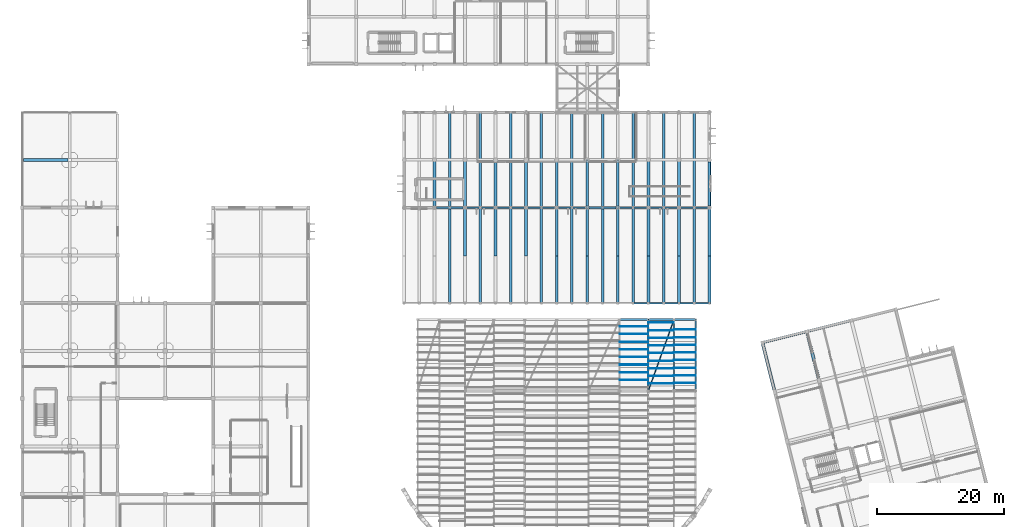
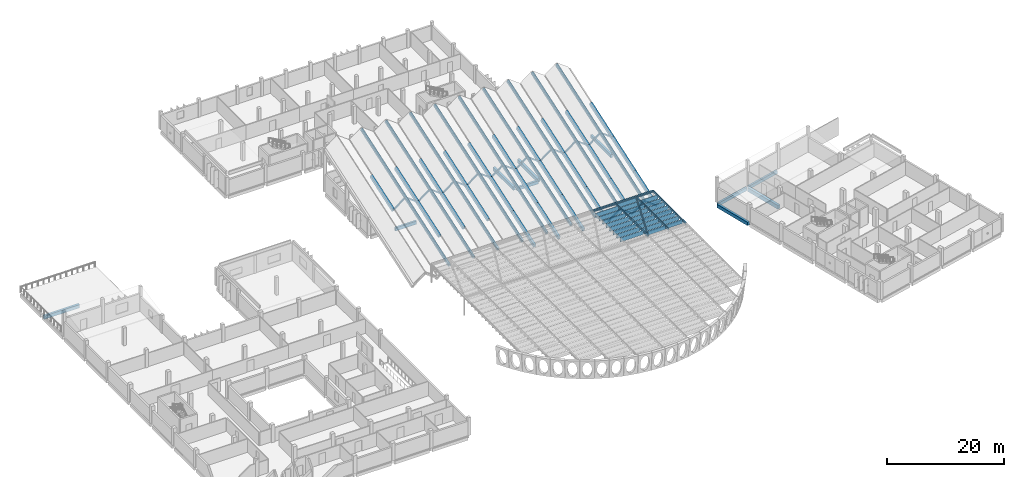
# One storey, part 16 of 47: 50 beams, 49 members.
"""IFC4 building model written with IfcOpenShell, lengths in metres."""

from ifc_helpers import new_model, si_unit, direction, frame, origin, origin_2d, place, context, subcontext, project, spatial, rectangle, hollow_rectangle, hollow_circle, i_section, extrude, material, material_profile, profile_set, type_object, element, save


model = new_model("IFC4")

# Units and contexts
model_context = context("Model", 3, precision=1e-05, world=origin(), true_north=direction((0.0, 1.0)))
body_context = subcontext(model_context, "Body", "Model", "MODEL_VIEW")
ifc_project = project(units=[si_unit("LENGTHUNIT", "METRE"), si_unit("AREAUNIT", "SQUARE_METRE"), si_unit("VOLUMEUNIT", "CUBIC_METRE"), si_unit("PLANEANGLEUNIT", "RADIAN"), si_unit("MASSUNIT", "GRAM", prefix="KILO")], contexts=[model_context])

# Site, building, storey
site_placement = place(None, origin())
site = spatial("IfcSite", under=ifc_project, at=site_placement, CompositionType="ELEMENT")
building_placement = place(site_placement, origin())
building = spatial("IfcBuilding", under=site, at=building_placement, Name="Mawjan Specialist Oncology Clinic", CompositionType="ELEMENT")
storey_placement = place(building_placement, frame((0.0, 0.0, 9.5)))
storey = spatial("IfcBuildingStorey", under=building, at=storey_placement, Name="L02", CompositionType="ELEMENT", Elevation=9.5)

# Beams
ifc_material_1 = material(Name="Concrete C40/50", Category="concrete")
ifc_material_profile_1 = material_profile(ifc_material_1, rectangle(XDim=0.449951171875, YDim=0.699951171875, at=origin_2d()), Name="RC BM 450x700", Category="concrete")
ifc_profile_set_1 = profile_set([ifc_material_profile_1], Name="Concrete C40/50")
beam_type_1 = type_object("IfcBeamType", Name="BM-450x700", PredefinedType="BEAM", material=ifc_profile_set_1)
beam_1_placement = place(storey_placement, frame((0.260009765625, 68.300048828125, -0.820068359375), z_axis=(1.0, 0.0, 0.0), x_axis=(0.0, 1.0, 0.0)))
element("IfcBeam", 1, at=beam_1_placement, inside=storey, type_object=beam_type_1, Name="L02 Collector Beam BM-L02-0685", PredefinedType="BEAM", context=body_context, shape_type="SweptSolid", body=[
    extrude(rectangle(XDim=0.449951171875, YDim=0.699951171875, at=origin_2d()), origin(), (0.0, 0.0, 1.0), 6.97998046875),
])
for number, where, z_axis, x_axis, name in (
    (2, (88.800048828125, 61.110107421875, -0.64990234375), (0.0, 1.0, 0.0), (-1.0, 0.0, 0.0), "L02 Collector Beam BM-L02-0832"),
    (3, (93.60009765625, 61.110107421875, -0.64990234375), (0.0, 1.0, 0.0), (-1.0, 0.0, 0.0), "L02 Collector Beam BM-L02-0837"),
):
    element("IfcBeam", number, at=place(storey_placement, frame(where, z_axis=z_axis, x_axis=x_axis)), inside=storey, type_object=beam_type_1, Name=name, PredefinedType="BEAM", context=body_context, shape_type="SweptSolid", body=[
        extrude(rectangle(XDim=0.449951171875, YDim=0.699951171875, at=origin_2d()), origin(), (0.0, 0.0, 1.0), 6.8798828125),
    ])
ifc_material_2 = material(Name="Concrete C45/55", Category="concrete")
ifc_material_profile_2 = material_profile(ifc_material_2, rectangle(XDim=0.5, YDim=0.800048828125, at=origin_2d()), Name="RC BM 500x800", Category="concrete")
ifc_profile_set_2 = profile_set([ifc_material_profile_2], Name="Concrete C45/55")
beam_type_2 = type_object("IfcBeamType", Name="BM-500x800", PredefinedType="BEAM", material=ifc_profile_set_2)
beam_2_placement = place(storey_placement, frame((125.181640625, 33.843505859375, -0.699951171875), z_axis=(-0.241892627095, 0.970303023265, 0.0), x_axis=(-0.970303023265, -0.241892627095, 0.0)))
element("IfcBeam", 4, at=beam_2_placement, inside=storey, type_object=beam_type_2, Name="L02 Collector Beam BM-L02-0880", PredefinedType="BEAM", context=body_context, shape_type="SweptSolid", body=[
    extrude(rectangle(XDim=0.5, YDim=0.800048828125, at=origin_2d()), origin(), (0.0, 0.0, 1.0), 7.505126953125),
])

# Members
ifc_material_3 = material(Name="Structural steel S355", Category="steel")
ifc_material_profile_3 = material_profile(ifc_material_3, hollow_circle(Radius=0.084228515625, WallThickness=0.008056640625, at=origin_2d()), Name="CHS 168.3x8", Category="steel")
ifc_profile_set_3 = profile_set([ifc_material_profile_3], Name="Structural steel S355")
member_type_1 = type_object("IfcMemberType", Name="BR-168", PredefinedType="BRACE", material=ifc_profile_set_3)
member_1_placement = place(storey_placement, frame((98.388671875, 32.0, 3.77490234375), z_axis=(0.339155120048, 0.940730463281, 0.0), x_axis=(-0.940730463281, 0.339155120048, 0.0)))
element("IfcMember", 5, at=member_1_placement, inside=storey, type_object=member_type_1, Name="Canopy Wind Brace CB-09", PredefinedType="BRACE", context=body_context, shape_type="SweptSolid", body=[
    extrude(hollow_circle(Radius=0.084228515625, WallThickness=0.008056640625, at=origin_2d()), origin(), (0.0, 0.0, 1.0), 11.905517578125),
])
ifc_material_4 = material(Name="Structural steel S355", Category="steel")
ifc_material_profile_4 = material_profile(ifc_material_4, hollow_rectangle(XDim=0.080078125, YDim=0.85009765625, WallThickness=0.006103515625, at=origin_2d()), Name="LOUVRE 850x80x6", Category="steel")
ifc_profile_set_4 = profile_set([ifc_material_profile_4], Name="Structural steel S355")
member_type_2 = type_object("IfcMemberType", Name="LV-850", PredefinedType="PURLIN", material=ifc_profile_set_4)
for number, where, z_axis, x_axis, name in (
    (6, (93.868896484375, 33.719970703125, 3.47509765625), (1.0, 0.0, 0.0), (0.0, 1.0, 0.0), "Canopy Solar Louvre Blade LV-0243"),
    (7, (93.868896484375, 34.919921875, 3.47509765625), (1.0, 0.0, 0.0), (0.0, 1.0, 0.0), "Canopy Solar Louvre Blade LV-0244"),
    (8, (93.868896484375, 36.119873046875, 3.47509765625), (1.0, 0.0, 0.0), (0.0, 1.0, 0.0), "Canopy Solar Louvre Blade LV-0245"),
    (9, (93.868896484375, 37.31982421875, 3.47509765625), (1.0, 0.0, 0.0), (0.0, 1.0, 0.0), "Canopy Solar Louvre Blade LV-0246"),
    (10, (93.868896484375, 38.519775390625, 3.47509765625), (1.0, 0.0, 0.0), (0.0, 1.0, 0.0), "Canopy Solar Louvre Blade LV-0247"),
    (11, (93.868896484375, 39.719970703125, 3.47509765625), (1.0, 0.0, 0.0), (0.0, 1.0, 0.0), "Canopy Solar Louvre Blade LV-0248"),
    (12, (93.868896484375, 40.919921875, 3.47509765625), (1.0, 0.0, 0.0), (0.0, 1.0, 0.0), "Canopy Solar Louvre Blade LV-0249"),
    (13, (93.868896484375, 42.119873046875, 3.47509765625), (1.0, 0.0, 0.0), (0.0, 1.0, 0.0), "Canopy Solar Louvre Blade LV-0250"),
):
    element("IfcMember", number, at=place(storey_placement, frame(where, z_axis=z_axis, x_axis=x_axis)), inside=storey, type_object=member_type_2, Name=name, PredefinedType="PURLIN", context=body_context, shape_type="SweptSolid", body=[
        extrude(hollow_rectangle(XDim=0.080078125, YDim=0.85009765625, WallThickness=0.006103515625, at=origin_2d()), origin(), (0.0, 0.0, 1.0), 4.519775390625),
    ])
for number, where, z_axis, x_axis, name in (
    (14, (98.388671875, 33.13525390625, 3.47509765625), (1.0, 0.0, 0.0), (0.0, 1.0, 0.0), "Canopy Solar Louvre Blade LV-0271"),
    (15, (98.388671875, 34.335205078125, 3.47509765625), (1.0, 0.0, 0.0), (0.0, 1.0, 0.0), "Canopy Solar Louvre Blade LV-0272"),
    (16, (98.388671875, 35.53515625, 3.47509765625), (1.0, 0.0, 0.0), (0.0, 1.0, 0.0), "Canopy Solar Louvre Blade LV-0273"),
    (17, (98.388671875, 36.735107421875, 3.47509765625), (1.0, 0.0, 0.0), (0.0, 1.0, 0.0), "Canopy Solar Louvre Blade LV-0274"),
    (18, (98.388671875, 37.935302734375, 3.47509765625), (1.0, 0.0, 0.0), (0.0, 1.0, 0.0), "Canopy Solar Louvre Blade LV-0275"),
    (19, (98.388671875, 39.13525390625, 3.47509765625), (1.0, 0.0, 0.0), (0.0, 1.0, 0.0), "Canopy Solar Louvre Blade LV-0276"),
    (20, (98.388671875, 40.335205078125, 3.47509765625), (1.0, 0.0, 0.0), (0.0, 1.0, 0.0), "Canopy Solar Louvre Blade LV-0277"),
    (21, (98.388671875, 41.53515625, 3.47509765625), (1.0, 0.0, 0.0), (0.0, 1.0, 0.0), "Canopy Solar Louvre Blade LV-0278"),
    (22, (98.388671875, 42.735107421875, 3.47509765625), (1.0, 0.0, 0.0), (0.0, 1.0, 0.0), "Canopy Solar Louvre Blade LV-0279"),
):
    element("IfcMember", number, at=place(storey_placement, frame(where, z_axis=z_axis, x_axis=x_axis)), inside=storey, type_object=member_type_2, Name=name, PredefinedType="PURLIN", context=body_context, shape_type="SweptSolid", body=[
        extrude(hollow_rectangle(XDim=0.080078125, YDim=0.85009765625, WallThickness=0.006103515625, at=origin_2d()), origin(), (0.0, 0.0, 1.0), 4.037841796875),
    ])
for number, where, z_axis, x_axis, name in (
    (23, (102.426513671875, 33.23583984375, 3.47509765625), (1.0, 0.0, 0.0), (0.0, 1.0, 0.0), "Canopy Solar Louvre Blade LV-0297"),
    (24, (102.426513671875, 34.435791015625, 3.47509765625), (1.0, 0.0, 0.0), (0.0, 1.0, 0.0), "Canopy Solar Louvre Blade LV-0298"),
    (25, (102.426513671875, 35.6357421875, 3.47509765625), (1.0, 0.0, 0.0), (0.0, 1.0, 0.0), "Canopy Solar Louvre Blade LV-0299"),
    (26, (102.426513671875, 36.8359375, 3.47509765625), (1.0, 0.0, 0.0), (0.0, 1.0, 0.0), "Canopy Solar Louvre Blade LV-0300"),
    (27, (102.426513671875, 38.035888671875, 3.47509765625), (1.0, 0.0, 0.0), (0.0, 1.0, 0.0), "Canopy Solar Louvre Blade LV-0301"),
    (28, (102.426513671875, 39.23583984375, 3.47509765625), (1.0, 0.0, 0.0), (0.0, 1.0, 0.0), "Canopy Solar Louvre Blade LV-0302"),
    (29, (102.426513671875, 40.435791015625, 3.47509765625), (1.0, 0.0, 0.0), (0.0, 1.0, 0.0), "Canopy Solar Louvre Blade LV-0303"),
    (30, (102.426513671875, 41.6357421875, 3.47509765625), (1.0, 0.0, 0.0), (0.0, 1.0, 0.0), "Canopy Solar Louvre Blade LV-0304"),
):
    element("IfcMember", number, at=place(storey_placement, frame(where, z_axis=z_axis, x_axis=x_axis)), inside=storey, type_object=member_type_2, Name=name, PredefinedType="PURLIN", context=body_context, shape_type="SweptSolid", body=[
        extrude(hollow_rectangle(XDim=0.080078125, YDim=0.85009765625, WallThickness=0.006103515625, at=origin_2d()), origin(), (0.0, 0.0, 1.0), 3.4208984375),
    ])

# Beams
ifc_material_5 = material(Name="Concrete C45/55", Category="concrete")
ifc_material_profile_5 = material_profile(ifc_material_5, rectangle(XDim=0.39990234375, YDim=0.5, at=origin_2d()), Name="RC CHORD 400x500", Category="concrete")
ifc_profile_set_5 = profile_set([ifc_material_profile_5], Name="Concrete C45/55")
beam_type_3 = type_object("IfcBeamType", Name="RB-FP", PredefinedType="BEAM", material=ifc_profile_set_5)
for number, where, z_axis, x_axis, name in (
    (31, (67.199951171875, 45.800048828125, 0.179931640625), (0.0, 0.946773214459, 0.321901351944), (-1.0, 0.0, 0.0), "Folded-Plate Roof Ridge Chord RB-02"),
    (32, (72.0, 45.800048828125, 0.179931640625), (0.0, 0.946773214459, 0.321901351944), (-1.0, 0.0, 0.0), "Folded-Plate Roof Ridge Chord RB-03"),
    (33, (76.800048828125, 45.800048828125, 0.179931640625), (0.0, 0.946773214459, 0.321901351944), (-1.0, 0.0, 0.0), "Folded-Plate Roof Ridge Chord RB-04"),
    (34, (81.60009765625, 45.800048828125, 0.179931640625), (0.0, 0.946773214459, 0.321901351944), (-1.0, 0.0, 0.0), "Folded-Plate Roof Ridge Chord RB-05"),
    (35, (86.39990234375, 45.800048828125, 0.179931640625), (0.0, 0.946773214459, 0.321901351944), (-1.0, 0.0, 0.0), "Folded-Plate Roof Ridge Chord RB-06"),
    (36, (91.199951171875, 45.800048828125, 0.179931640625), (0.0, 0.946773214459, 0.321901351944), (-1.0, 0.0, 0.0), "Folded-Plate Roof Ridge Chord RB-07"),
    (37, (96.0, 45.800048828125, 0.179931640625), (0.0, 0.946773214459, 0.321901351944), (-1.0, 0.0, 0.0), "Folded-Plate Roof Ridge Chord RB-08"),
    (38, (100.800048828125, 45.800048828125, 0.179931640625), (0.0, 0.946773214459, 0.321901351944), (-1.0, 0.0, 0.0), "Folded-Plate Roof Ridge Chord RB-09"),
    (39, (105.60009765625, 45.800048828125, 0.179931640625), (0.0, 0.946773214459, 0.321901351944), (-1.0, 0.0, 0.0), "Folded-Plate Roof Ridge Chord RB-10"),
):
    element("IfcBeam", number, at=place(storey_placement, frame(where, z_axis=z_axis, x_axis=x_axis)), inside=storey, type_object=beam_type_3, Name=name, PredefinedType="BEAM", context=body_context, shape_type="SweptSolid", body=[
        extrude(rectangle(XDim=0.39990234375, YDim=0.5, at=origin_2d()), origin(), (0.0, 0.0, 1.0), 31.6865234375),
    ])
ifc_material_6 = material(Name="Structural steel S355", Category="steel")
ifc_material_profile_6 = material_profile(ifc_material_6, i_section(OverallWidth=0.300048828125, OverallDepth=0.35009765625, WebThickness=0.010009765625, FlangeThickness=0.017578125, FilletRadius=0.027099609375, at=origin_2d()), Name="HEA 360", Category="steel")
ifc_profile_set_6 = profile_set([ifc_material_profile_6], Name="Structural steel S355")
beam_type_4 = type_object("IfcBeamType", Name="SB-HEA360", PredefinedType="BEAM", material=ifc_profile_set_6)
beam_3_placement = place(storey_placement, frame((93.868896484375, 43.199951171875, 3.699951171875), z_axis=(1.0, 0.0, 0.0), x_axis=(0.0, 1.0, 0.0)))
element("IfcBeam", 40, at=beam_3_placement, inside=storey, type_object=beam_type_4, Name="Courtyard Canopy North Header 93", PredefinedType="BEAM", context=body_context, shape_type="SweptSolid", body=[
    extrude(i_section(OverallWidth=0.300048828125, OverallDepth=0.35009765625, WebThickness=0.010009765625, FlangeThickness=0.017578125, FilletRadius=0.027099609375, at=origin_2d()), origin(), (0.0, 0.0, 1.0), 4.519775390625),
])
beam_4_placement = place(storey_placement, frame((98.388671875, 43.199951171875, 3.699951171875), z_axis=(1.0, 0.0, 0.0), x_axis=(0.0, 1.0, 0.0)))
element("IfcBeam", 41, at=beam_4_placement, inside=storey, type_object=beam_type_4, Name="Courtyard Canopy North Header 98", PredefinedType="BEAM", context=body_context, shape_type="SweptSolid", body=[
    extrude(i_section(OverallWidth=0.300048828125, OverallDepth=0.35009765625, WebThickness=0.010009765625, FlangeThickness=0.017578125, FilletRadius=0.027099609375, at=origin_2d()), origin(), (0.0, 0.0, 1.0), 4.037841796875),
])
beam_5_placement = place(storey_placement, frame((102.426513671875, 43.199951171875, 3.699951171875), z_axis=(1.0, 0.0, 0.0), x_axis=(0.0, 1.0, 0.0)))
element("IfcBeam", 42, at=beam_5_placement, inside=storey, type_object=beam_type_4, Name="Courtyard Canopy North Header 102", PredefinedType="BEAM", context=body_context, shape_type="SweptSolid", body=[
    extrude(i_section(OverallWidth=0.300048828125, OverallDepth=0.35009765625, WebThickness=0.010009765625, FlangeThickness=0.017578125, FilletRadius=0.027099609375, at=origin_2d()), origin(), (0.0, 0.0, 1.0), 3.4208984375),
])
ifc_material_7 = material(Name="Structural steel S355", Category="steel")
ifc_material_profile_7 = material_profile(ifc_material_7, i_section(OverallWidth=0.179931640625, OverallDepth=0.39990234375, WebThickness=0.008544921875, FlangeThickness=0.013427734375, FilletRadius=0.02099609375, at=origin_2d()), Name="IPE 400", Category="steel")
ifc_profile_set_7 = profile_set([ifc_material_profile_7], Name="Structural steel S355")
beam_type_5 = type_object("IfcBeamType", Name="SB-IPE400", PredefinedType="BEAM", material=ifc_profile_set_7)
for number, where, z_axis, x_axis, name in (
    (43, (98.388671875, 32.0, 3.699951171875), (0.0, 1.0, 0.0), (-1.0, 0.0, 0.0), "Courtyard Canopy North Rafter CRN-09"),
    (44, (102.426513671875, 32.0, 3.699951171875), (0.0, 1.0, 0.0), (-1.0, 0.0, 0.0), "Courtyard Canopy North Rafter CRN-10"),
    (45, (105.847412109375, 32.0, 3.699951171875), (0.0, 1.0, 0.0), (-1.0, 0.0, 0.0), "Courtyard Canopy North Rafter CRN-11"),
):
    element("IfcBeam", number, at=place(storey_placement, frame(where, z_axis=z_axis, x_axis=x_axis)), inside=storey, type_object=beam_type_5, Name=name, PredefinedType="BEAM", context=body_context, shape_type="SweptSolid", body=[
        extrude(i_section(OverallWidth=0.179931640625, OverallDepth=0.39990234375, WebThickness=0.008544921875, FlangeThickness=0.013427734375, FilletRadius=0.02099609375, at=origin_2d()), origin(), (0.0, 0.0, 1.0), 11.199951171875),
    ])
ifc_material_8 = material(Name="Concrete C45/55", Category="concrete")
ifc_material_profile_8 = material_profile(ifc_material_8, rectangle(XDim=0.39990234375, YDim=0.64990234375, at=origin_2d()), Name="RC BM 400x650", Category="concrete")
ifc_profile_set_8 = profile_set([ifc_material_profile_8], Name="Concrete C45/55")
beam_type_6 = type_object("IfcBeamType", Name="SP-400x650", PredefinedType="SPANDREL", material=ifc_profile_set_8)
for number, where, z_axis, x_axis, name in (
    (46, (65.110107421875, 60.800048828125, -0.625), (1.0, 0.0, 0.0), (0.0, 1.0, 0.0), "L02 Spandrel Beam BM-L02-0683"),
    (47, (89.110107421875, 60.800048828125, -0.625), (1.0, 0.0, 0.0), (0.0, 1.0, 0.0), "L02 Spandrel Beam BM-L02-0684"),
):
    element("IfcBeam", number, at=place(storey_placement, frame(where, z_axis=z_axis, x_axis=x_axis)), inside=storey, type_object=beam_type_6, Name=name, PredefinedType="SPANDREL", context=body_context, shape_type="SweptSolid", body=[
        extrude(rectangle(XDim=0.39990234375, YDim=0.64990234375, at=origin_2d()), origin(), (0.0, 0.0, 1.0), 4.179931640625),
    ])
beam_6_placement = place(storey_placement, frame((108.0, 61.110107421875, -0.625), z_axis=(0.0, 1.0, 0.0), x_axis=(-1.0, 0.0, 0.0)))
element("IfcBeam", 48, at=beam_6_placement, inside=storey, type_object=beam_type_6, Name="L02 Spandrel Beam BM-L02-0848", PredefinedType="SPANDREL", context=body_context, shape_type="SweptSolid", body=[
    extrude(rectangle(XDim=0.39990234375, YDim=0.64990234375, at=origin_2d()), origin(), (0.0, 0.0, 1.0), 6.8798828125),
])
beam_7_placement = place(storey_placement, frame((116.551025390625, 39.668701171875, -0.625), z_axis=(0.970295942731, 0.241921027444, 0.0), x_axis=(-0.241921027444, 0.970295942731, 0.0)))
element("IfcBeam", 49, at=beam_7_placement, inside=storey, type_object=beam_type_6, Name="L02 Spandrel Beam BM-L02-0870", PredefinedType="SPANDREL", context=body_context, shape_type="SweptSolid", body=[
    extrude(rectangle(XDim=0.39990234375, YDim=0.64990234375, at=origin_2d()), origin(), (0.0, 0.0, 1.0), 6.730224609375),
])
beam_8_placement = place(storey_placement, frame((123.537353515625, 41.410400390625, -0.625), z_axis=(0.970293819569, 0.241929542854, 0.0), x_axis=(-0.241929542854, 0.970293819569, 0.0)))
element("IfcBeam", 50, at=beam_8_placement, inside=storey, type_object=beam_type_6, Name="L02 Spandrel Beam BM-L02-0871", PredefinedType="SPANDREL", context=body_context, shape_type="SweptSolid", body=[
    extrude(rectangle(XDim=0.39990234375, YDim=0.64990234375, at=origin_2d()), origin(), (0.0, 0.0, 1.0), 6.72998046875),
])
ifc_material_9 = material(Name="Concrete C45/55", Category="concrete")
ifc_material_profile_9 = material_profile(ifc_material_9, rectangle(XDim=0.5, YDim=0.699951171875, at=origin_2d()), Name="RC BM 500x700", Category="concrete")
ifc_profile_set_9 = profile_set([ifc_material_profile_9], Name="Concrete C45/55")
beam_type_7 = type_object("IfcBeamType", Name="SP-500x700", PredefinedType="SPANDREL", material=ifc_profile_set_9)
beam_9_placement = place(storey_placement, frame((118.195556640625, 32.101806640625, -0.64990234375), z_axis=(-0.241930889434, 0.970293483817, 0.0), x_axis=(-0.970293483817, -0.241930889434, 0.0)))
element("IfcBeam", 51, at=beam_9_placement, inside=storey, type_object=beam_type_7, Name="L02 Spandrel Beam BM-L02-0877", PredefinedType="SPANDREL", context=body_context, shape_type="SweptSolid", body=[
    extrude(rectangle(XDim=0.5, YDim=0.699951171875, at=origin_2d()), origin(), (0.0, 0.0, 1.0), 7.5048828125),
])

# Members
ifc_material_10 = material(Name="Structural steel S355", Category="steel")
ifc_material_profile_10 = material_profile(ifc_material_10, hollow_rectangle(XDim=0.25, YDim=0.25, WallThickness=0.011962890625, at=origin_2d()), Name="SHS 250x250x12", Category="steel")
ifc_profile_set_10 = profile_set([ifc_material_profile_10], Name="Structural steel S355")
member_type_3 = type_object("IfcMemberType", Name="ST-SHS250", PredefinedType="STRUT", material=ifc_profile_set_10)
member_2_placement = place(storey_placement, frame((64.800048828125, 60.800048828125, 3.43994140625), z_axis=(0.793580373158, 0.0, 0.608465439724), x_axis=(0.0, 1.0, 0.0)))
element("IfcMember", 52, at=member_2_placement, inside=storey, type_object=member_type_3, Name="Folded-Plate M Gable Strut 2A", PredefinedType="STRUT", context=body_context, shape_type="SweptSolid", body=[
    extrude(hollow_rectangle(XDim=0.25, YDim=0.25, WallThickness=0.011962890625, at=origin_2d()), origin(), (0.0, 0.0, 1.0), 3.024169921875),
])
member_3_placement = place(storey_placement, frame((69.60009765625, 60.800048828125, 3.43994140625), z_axis=(-0.793610259137, 0.0, 0.608426459477), x_axis=(0.0, -1.0, 0.0)))
element("IfcMember", 53, at=member_3_placement, inside=storey, type_object=member_type_3, Name="Folded-Plate M Gable Strut 2B", PredefinedType="STRUT", context=body_context, shape_type="SweptSolid", body=[
    extrude(hollow_rectangle(XDim=0.25, YDim=0.25, WallThickness=0.011962890625, at=origin_2d()), origin(), (0.0, 0.0, 1.0), 3.0244140625),
])
for number, where, z_axis, x_axis, name in (
    (54, (69.60009765625, 60.800048828125, 3.43994140625), (0.793580373158, 0.0, 0.608465439724), (0.0, 1.0, 0.0), "Folded-Plate M Gable Strut 3A"),
    (55, (74.39990234375, 60.800048828125, 3.43994140625), (-0.793580373158, 0.0, 0.608465439724), (0.0, -1.0, 0.0), "Folded-Plate M Gable Strut 3B"),
):
    element("IfcMember", number, at=place(storey_placement, frame(where, z_axis=z_axis, x_axis=x_axis)), inside=storey, type_object=member_type_3, Name=name, PredefinedType="STRUT", context=body_context, shape_type="SweptSolid", body=[
        extrude(hollow_rectangle(XDim=0.25, YDim=0.25, WallThickness=0.011962890625, at=origin_2d()), origin(), (0.0, 0.0, 1.0), 3.024169921875),
    ])
member_4_placement = place(storey_placement, frame((74.39990234375, 60.800048828125, 3.43994140625), z_axis=(0.793610259137, 0.0, 0.608426459477), x_axis=(0.0, 1.0, 0.0)))
element("IfcMember", 56, at=member_4_placement, inside=storey, type_object=member_type_3, Name="Folded-Plate M Gable Strut 4A", PredefinedType="STRUT", context=body_context, shape_type="SweptSolid", body=[
    extrude(hollow_rectangle(XDim=0.25, YDim=0.25, WallThickness=0.011962890625, at=origin_2d()), origin(), (0.0, 0.0, 1.0), 3.0244140625),
])
member_5_placement = place(storey_placement, frame((79.199951171875, 60.800048828125, 3.43994140625), z_axis=(-0.793580373158, 0.0, 0.608465439724), x_axis=(0.0, -1.0, 0.0)))
element("IfcMember", 57, at=member_5_placement, inside=storey, type_object=member_type_3, Name="Folded-Plate M Gable Strut 4B", PredefinedType="STRUT", context=body_context, shape_type="SweptSolid", body=[
    extrude(hollow_rectangle(XDim=0.25, YDim=0.25, WallThickness=0.011962890625, at=origin_2d()), origin(), (0.0, 0.0, 1.0), 3.024169921875),
])
member_6_placement = place(storey_placement, frame((79.199951171875, 60.800048828125, 3.43994140625), z_axis=(0.793610259137, 0.0, 0.608426459477), x_axis=(0.0, 1.0, 0.0)))
element("IfcMember", 58, at=member_6_placement, inside=storey, type_object=member_type_3, Name="Folded-Plate M Gable Strut 5A", PredefinedType="STRUT", context=body_context, shape_type="SweptSolid", body=[
    extrude(hollow_rectangle(XDim=0.25, YDim=0.25, WallThickness=0.011962890625, at=origin_2d()), origin(), (0.0, 0.0, 1.0), 3.0244140625),
])
for number, where, z_axis, x_axis, name in (
    (59, (84.0, 60.800048828125, 3.43994140625), (-0.793580373158, 0.0, 0.608465439724), (0.0, -1.0, 0.0), "Folded-Plate M Gable Strut 5B"),
    (60, (84.0, 60.800048828125, 3.43994140625), (0.793580373158, 0.0, 0.608465439724), (0.0, 1.0, 0.0), "Folded-Plate M Gable Strut 6A"),
):
    element("IfcMember", number, at=place(storey_placement, frame(where, z_axis=z_axis, x_axis=x_axis)), inside=storey, type_object=member_type_3, Name=name, PredefinedType="STRUT", context=body_context, shape_type="SweptSolid", body=[
        extrude(hollow_rectangle(XDim=0.25, YDim=0.25, WallThickness=0.011962890625, at=origin_2d()), origin(), (0.0, 0.0, 1.0), 3.024169921875),
    ])
member_7_placement = place(storey_placement, frame((88.800048828125, 60.800048828125, 3.43994140625), z_axis=(-0.793610259137, 0.0, 0.608426459477), x_axis=(0.0, -1.0, 0.0)))
element("IfcMember", 61, at=member_7_placement, inside=storey, type_object=member_type_3, Name="Folded-Plate M Gable Strut 6B", PredefinedType="STRUT", context=body_context, shape_type="SweptSolid", body=[
    extrude(hollow_rectangle(XDim=0.25, YDim=0.25, WallThickness=0.011962890625, at=origin_2d()), origin(), (0.0, 0.0, 1.0), 3.0244140625),
])
member_8_placement = place(storey_placement, frame((88.800048828125, 60.800048828125, 3.43994140625), z_axis=(0.793580373158, 0.0, 0.608465439724), x_axis=(0.0, 1.0, 0.0)))
element("IfcMember", 62, at=member_8_placement, inside=storey, type_object=member_type_3, Name="Folded-Plate M Gable Strut 7A", PredefinedType="STRUT", context=body_context, shape_type="SweptSolid", body=[
    extrude(hollow_rectangle(XDim=0.25, YDim=0.25, WallThickness=0.011962890625, at=origin_2d()), origin(), (0.0, 0.0, 1.0), 3.024169921875),
])
member_9_placement = place(storey_placement, frame((93.60009765625, 60.800048828125, 3.43994140625), z_axis=(-0.793610259137, 0.0, 0.608426459477), x_axis=(0.0, -1.0, 0.0)))
element("IfcMember", 63, at=member_9_placement, inside=storey, type_object=member_type_3, Name="Folded-Plate M Gable Strut 7B", PredefinedType="STRUT", context=body_context, shape_type="SweptSolid", body=[
    extrude(hollow_rectangle(XDim=0.25, YDim=0.25, WallThickness=0.011962890625, at=origin_2d()), origin(), (0.0, 0.0, 1.0), 3.0244140625),
])
member_10_placement = place(storey_placement, frame((98.39990234375, 45.800048828125, -1.659912109375), z_axis=(-0.793619355454, 0.0, 0.608414594375), x_axis=(0.0, -1.0, 0.0)))
element("IfcMember", 64, at=member_10_placement, inside=storey, type_object=member_type_3, Name="Folded-Plate S Gable Strut 8B", PredefinedType="STRUT", context=body_context, shape_type="SweptSolid", body=[
    extrude(hollow_rectangle(XDim=0.25, YDim=0.25, WallThickness=0.011962890625, at=origin_2d()), origin(), (0.0, 0.0, 1.0), 3.02392578125),
])
for number, where, z_axis, x_axis, name in (
    (65, (93.60009765625, 60.800048828125, 3.43994140625), (0.793580373158, 0.0, 0.608465439724), (0.0, 1.0, 0.0), "Folded-Plate M Gable Strut 8A"),
    (66, (98.39990234375, 60.800048828125, 3.43994140625), (-0.793580373158, 0.0, 0.608465439724), (0.0, -1.0, 0.0), "Folded-Plate M Gable Strut 8B"),
    (67, (98.39990234375, 45.800048828125, -1.659912109375), (0.793649237907, 0.0, 0.608375613556), (0.0, 1.0, 0.0), "Folded-Plate S Gable Strut 9A"),
):
    element("IfcMember", number, at=place(storey_placement, frame(where, z_axis=z_axis, x_axis=x_axis)), inside=storey, type_object=member_type_3, Name=name, PredefinedType="STRUT", context=body_context, shape_type="SweptSolid", body=[
        extrude(hollow_rectangle(XDim=0.25, YDim=0.25, WallThickness=0.011962890625, at=origin_2d()), origin(), (0.0, 0.0, 1.0), 3.024169921875),
    ])
member_11_placement = place(storey_placement, frame((103.199951171875, 45.800048828125, -1.659912109375), z_axis=(-0.793619355454, 0.0, 0.608414594375), x_axis=(0.0, -1.0, 0.0)))
element("IfcMember", 68, at=member_11_placement, inside=storey, type_object=member_type_3, Name="Folded-Plate S Gable Strut 9B", PredefinedType="STRUT", context=body_context, shape_type="SweptSolid", body=[
    extrude(hollow_rectangle(XDim=0.25, YDim=0.25, WallThickness=0.011962890625, at=origin_2d()), origin(), (0.0, 0.0, 1.0), 3.02392578125),
])
member_12_placement = place(storey_placement, frame((98.39990234375, 60.800048828125, 3.43994140625), z_axis=(0.793610259137, 0.0, 0.608426459477), x_axis=(0.0, 1.0, 0.0)))
element("IfcMember", 69, at=member_12_placement, inside=storey, type_object=member_type_3, Name="Folded-Plate M Gable Strut 9A", PredefinedType="STRUT", context=body_context, shape_type="SweptSolid", body=[
    extrude(hollow_rectangle(XDim=0.25, YDim=0.25, WallThickness=0.011962890625, at=origin_2d()), origin(), (0.0, 0.0, 1.0), 3.0244140625),
])
for number, where, z_axis, x_axis, name in (
    (70, (103.199951171875, 60.800048828125, 3.43994140625), (-0.793580373158, 0.0, 0.608465439724), (0.0, -1.0, 0.0), "Folded-Plate M Gable Strut 9B"),
    (71, (103.199951171875, 45.800048828125, -1.659912109375), (0.793649237907, 0.0, 0.608375613556), (0.0, 1.0, 0.0), "Folded-Plate S Gable Strut 10A"),
):
    element("IfcMember", number, at=place(storey_placement, frame(where, z_axis=z_axis, x_axis=x_axis)), inside=storey, type_object=member_type_3, Name=name, PredefinedType="STRUT", context=body_context, shape_type="SweptSolid", body=[
        extrude(hollow_rectangle(XDim=0.25, YDim=0.25, WallThickness=0.011962890625, at=origin_2d()), origin(), (0.0, 0.0, 1.0), 3.024169921875),
    ])
member_13_placement = place(storey_placement, frame((108.0, 45.800048828125, -1.659912109375), z_axis=(-0.793619355454, 0.0, 0.608414594375), x_axis=(0.0, -1.0, 0.0)))
element("IfcMember", 72, at=member_13_placement, inside=storey, type_object=member_type_3, Name="Folded-Plate S Gable Strut 10B", PredefinedType="STRUT", context=body_context, shape_type="SweptSolid", body=[
    extrude(hollow_rectangle(XDim=0.25, YDim=0.25, WallThickness=0.011962890625, at=origin_2d()), origin(), (0.0, 0.0, 1.0), 3.02392578125),
])
member_14_placement = place(storey_placement, frame((103.199951171875, 60.800048828125, 3.43994140625), z_axis=(0.793610259137, 0.0, 0.608426459477), x_axis=(0.0, 1.0, 0.0)))
element("IfcMember", 73, at=member_14_placement, inside=storey, type_object=member_type_3, Name="Folded-Plate M Gable Strut 10A", PredefinedType="STRUT", context=body_context, shape_type="SweptSolid", body=[
    extrude(hollow_rectangle(XDim=0.25, YDim=0.25, WallThickness=0.011962890625, at=origin_2d()), origin(), (0.0, 0.0, 1.0), 3.0244140625),
])
member_15_placement = place(storey_placement, frame((108.0, 60.800048828125, 3.43994140625), z_axis=(-0.793580373158, 0.0, 0.608465439724), x_axis=(0.0, -1.0, 0.0)))
element("IfcMember", 74, at=member_15_placement, inside=storey, type_object=member_type_3, Name="Folded-Plate M Gable Strut 10B", PredefinedType="STRUT", context=body_context, shape_type="SweptSolid", body=[
    extrude(hollow_rectangle(XDim=0.25, YDim=0.25, WallThickness=0.011962890625, at=origin_2d()), origin(), (0.0, 0.0, 1.0), 3.024169921875),
])

# Beams
ifc_material_11 = material(Name="Concrete C45/55", Category="concrete")
ifc_material_profile_11 = material_profile(ifc_material_11, rectangle(XDim=0.449951171875, YDim=0.64990234375, at=origin_2d()), Name="RC VALLEY 450x650", Category="concrete")
ifc_profile_set_11 = profile_set([ifc_material_profile_11], Name="Concrete C45/55")
beam_type_8 = type_object("IfcBeamType", Name="VB-FP", PredefinedType="BEAM", material=ifc_profile_set_11)
for number, where, z_axis, x_axis, name in (
    (75, (64.800048828125, 60.800048828125, 3.43994140625), (0.0, 0.946770866248, 0.321908258397), (-1.0, 0.0, 0.0), "Folded-Plate Roof Valley Chord VB-02-3"),
    (76, (69.60009765625, 53.300048828125, 0.889892578125), (0.0, 0.946770866248, 0.321908258397), (-1.0, 0.0, 0.0), "Folded-Plate Roof Valley Chord VB-03-2"),
    (77, (69.60009765625, 60.800048828125, 3.43994140625), (0.0, 0.946770866248, 0.321908258397), (-1.0, 0.0, 0.0), "Folded-Plate Roof Valley Chord VB-03-3"),
    (78, (74.39990234375, 53.300048828125, 0.889892578125), (0.0, 0.946770866248, 0.321908258397), (-1.0, 0.0, 0.0), "Folded-Plate Roof Valley Chord VB-04-2"),
    (79, (74.39990234375, 60.800048828125, 3.43994140625), (0.0, 0.946770866248, 0.321908258397), (-1.0, 0.0, 0.0), "Folded-Plate Roof Valley Chord VB-04-3"),
    (80, (79.199951171875, 53.300048828125, 0.889892578125), (0.0, 0.946770866248, 0.321908258397), (-1.0, 0.0, 0.0), "Folded-Plate Roof Valley Chord VB-05-2"),
    (81, (79.199951171875, 60.800048828125, 3.43994140625), (0.0, 0.946770866248, 0.321908258397), (-1.0, 0.0, 0.0), "Folded-Plate Roof Valley Chord VB-05-3"),
    (82, (84.0, 45.800048828125, -1.659912109375), (0.0, 0.946780258859, 0.321880632276), (-1.0, 0.0, 0.0), "Folded-Plate Roof Valley Chord VB-06-1"),
    (83, (84.0, 53.300048828125, 0.889892578125), (0.0, 0.946770866248, 0.321908258397), (-1.0, 0.0, 0.0), "Folded-Plate Roof Valley Chord VB-06-2"),
    (84, (84.0, 60.800048828125, 3.43994140625), (0.0, 0.946770866248, 0.321908258397), (-1.0, 0.0, 0.0), "Folded-Plate Roof Valley Chord VB-06-3"),
    (85, (88.800048828125, 45.800048828125, -1.659912109375), (0.0, 0.946780258859, 0.321880632276), (-1.0, 0.0, 0.0), "Folded-Plate Roof Valley Chord VB-07-1"),
    (86, (88.800048828125, 53.300048828125, 0.889892578125), (0.0, 0.946770866248, 0.321908258397), (-1.0, 0.0, 0.0), "Folded-Plate Roof Valley Chord VB-07-2"),
    (87, (88.800048828125, 60.800048828125, 3.43994140625), (0.0, 0.946770866248, 0.321908258397), (-1.0, 0.0, 0.0), "Folded-Plate Roof Valley Chord VB-07-3"),
    (88, (93.60009765625, 45.800048828125, -1.659912109375), (0.0, 0.946780258859, 0.321880632276), (-1.0, 0.0, 0.0), "Folded-Plate Roof Valley Chord VB-08-1"),
    (89, (93.60009765625, 53.300048828125, 0.889892578125), (0.0, 0.946770866248, 0.321908258397), (-1.0, 0.0, 0.0), "Folded-Plate Roof Valley Chord VB-08-2"),
    (90, (93.60009765625, 60.800048828125, 3.43994140625), (0.0, 0.946770866248, 0.321908258397), (-1.0, 0.0, 0.0), "Folded-Plate Roof Valley Chord VB-08-3"),
    (91, (98.39990234375, 45.800048828125, -1.659912109375), (0.0, 0.946780258859, 0.321880632276), (-1.0, 0.0, 0.0), "Folded-Plate Roof Valley Chord VB-09-1"),
    (92, (98.39990234375, 53.300048828125, 0.889892578125), (0.0, 0.946770866248, 0.321908258397), (-1.0, 0.0, 0.0), "Folded-Plate Roof Valley Chord VB-09-2"),
    (93, (98.39990234375, 60.800048828125, 3.43994140625), (0.0, 0.946770866248, 0.321908258397), (-1.0, 0.0, 0.0), "Folded-Plate Roof Valley Chord VB-09-3"),
    (94, (103.199951171875, 45.800048828125, -1.659912109375), (0.0, 0.946780258859, 0.321880632276), (-1.0, 0.0, 0.0), "Folded-Plate Roof Valley Chord VB-10-1"),
    (95, (103.199951171875, 53.300048828125, 0.889892578125), (0.0, 0.946770866248, 0.321908258397), (-1.0, 0.0, 0.0), "Folded-Plate Roof Valley Chord VB-10-2"),
    (96, (103.199951171875, 60.800048828125, 3.43994140625), (0.0, 0.946770866248, 0.321908258397), (-1.0, 0.0, 0.0), "Folded-Plate Roof Valley Chord VB-10-3"),
    (97, (108.0, 45.800048828125, -1.659912109375), (0.0, 0.946780258859, 0.321880632276), (-1.0, 0.0, 0.0), "Folded-Plate Roof Valley Chord VB-11-1"),
    (98, (108.0, 53.300048828125, 0.889892578125), (0.0, 0.946770866248, 0.321908258397), (-1.0, 0.0, 0.0), "Folded-Plate Roof Valley Chord VB-11-2"),
    (99, (108.0, 60.800048828125, 3.43994140625), (0.0, 0.946770866248, 0.321908258397), (-1.0, 0.0, 0.0), "Folded-Plate Roof Valley Chord VB-11-3"),
):
    element("IfcBeam", number, at=place(storey_placement, frame(where, z_axis=z_axis, x_axis=x_axis)), inside=storey, type_object=beam_type_8, Name=name, PredefinedType="BEAM", context=body_context, shape_type="SweptSolid", body=[
        extrude(rectangle(XDim=0.449951171875, YDim=0.64990234375, at=origin_2d()), origin(), (0.0, 0.0, 1.0), 7.921630859375),
    ])

save(model, "model.ifc")
